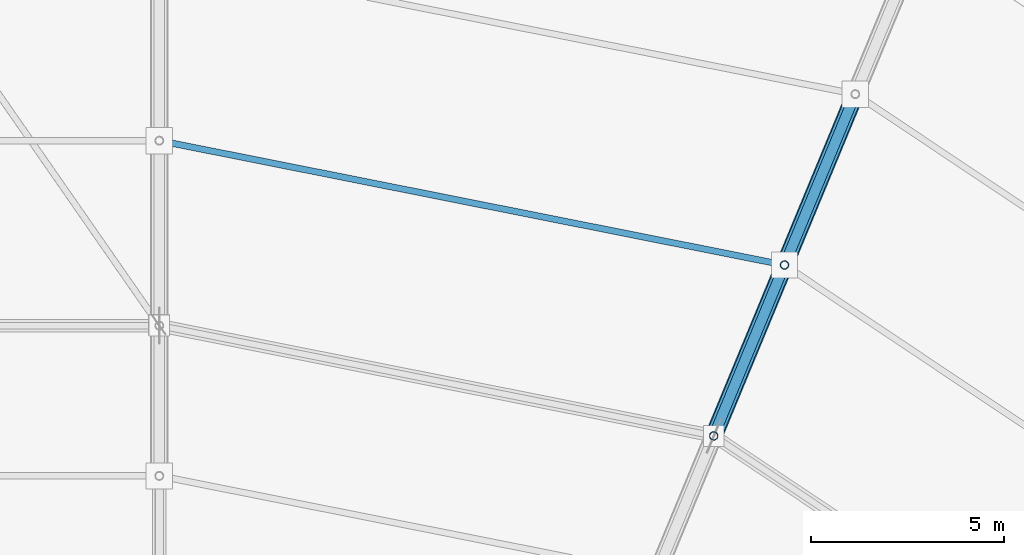
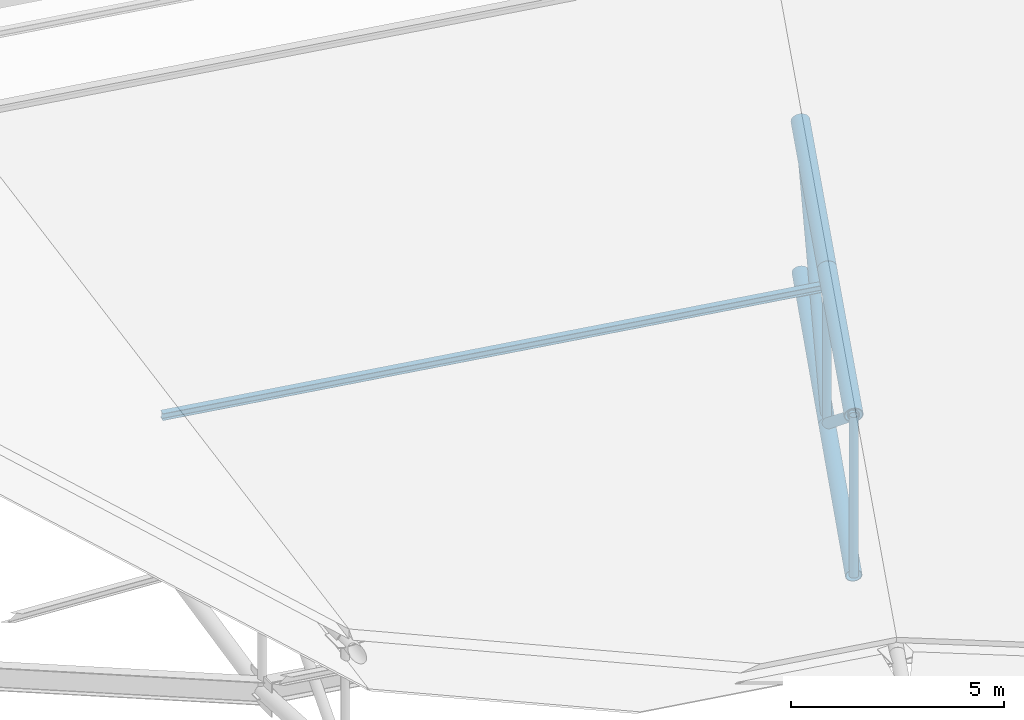
# One storey, part 80 of 146: 9 members.
"""IFC4 building model written with IfcOpenShell, lengths in metres."""

from ifc_helpers import new_model, si_unit, direction, frame, origin, origin_2d, place, context, subcontext, project, spatial, hollow_circle, i_section, extrude, material, material_profile, profile_set, type_object, element, save


model = new_model("IFC4")

# Units and contexts
model_context = context("Model", 3, precision=1e-05, world=origin(), true_north=direction((0.0, 1.0)))
body_context = subcontext(model_context, "Body", "Model", "MODEL_VIEW")
ifc_project = project(units=[si_unit("LENGTHUNIT", "METRE"), si_unit("AREAUNIT", "SQUARE_METRE"), si_unit("VOLUMEUNIT", "CUBIC_METRE"), si_unit("PLANEANGLEUNIT", "RADIAN"), si_unit("MASSUNIT", "GRAM", prefix="KILO")], contexts=[model_context])

# Site, building, storey
site_placement = place(None, origin())
site = spatial("IfcSite", under=ifc_project, at=site_placement, CompositionType="ELEMENT")
building_placement = place(site_placement, origin())
building = spatial("IfcBuilding", under=site, at=building_placement, Name="Candeia Ridge Stadium", CompositionType="ELEMENT")
storey_placement = place(building_placement, frame((0.0, 0.0, 31.800048828125)))
storey = spatial("IfcBuildingStorey", under=building, at=storey_placement, Name="RF", CompositionType="ELEMENT", Elevation=31.800048828125)

# Members
ifc_material = material(Name="Steel ASTM A572 Grade 50", Category="steel")
ifc_material_profile_1 = material_profile(ifc_material, i_section(OverallWidth=0.1650390625, OverallDepth=0.200927734375, WebThickness=0.006103515625, FlangeThickness=0.01025390625, FilletRadius=0.010009765625, at=origin_2d()), Name="W200x35.9", Category="steel")
ifc_profile_set_1 = profile_set([ifc_material_profile_1], Name="Steel ASTM A572 Grade 50")
member_type_1 = type_object("IfcMemberType", Name="Roof Purlin W200x35.9", PredefinedType="PURLIN", material=ifc_profile_set_1)
member_1_placement = place(storey_placement, frame((157.1767578125, 134.18212890625, 2.303955078125), z_axis=(-0.980785144259, 0.195091006457, 0.0), x_axis=(-0.195091006457, -0.980785144259, 0.0)))
element("IfcMember", 1, at=member_1_placement, inside=storey, type_object=member_type_1, Name="Saddle roof steel purlin bay 36-3", PredefinedType="PURLIN", context=body_context, shape_type="SweptSolid", body=[
    extrude(i_section(OverallWidth=0.1650390625, OverallDepth=0.200927734375, WebThickness=0.006103515625, FlangeThickness=0.01025390625, FilletRadius=0.010009765625, at=origin_2d()), origin(), (0.0, 0.0, 1.0), 16.443603515625),
])
ifc_material_profile_2 = material_profile(ifc_material, hollow_circle(Radius=0.136474609375, WallThickness=0.010009765625, at=origin_2d()), Name="CHS273x10", Category="steel")
ifc_profile_set_2 = profile_set([ifc_material_profile_2], Name="Steel ASTM A572 Grade 50")
member_type_2 = type_object("IfcMemberType", Name="Roof Truss Heavy Web Brace CHS273x10", PredefinedType="BRACE", material=ifc_profile_set_2)
member_2_placement = place(storey_placement, frame((155.388916015625, 129.73779296875, 1.93603515625), z_axis=(0.306791934683, 0.740679890153, -0.597722351211), x_axis=(-0.923882937544, 0.382675211785, 0.0)))
element("IfcMember", 2, at=member_2_placement, inside=storey, type_object=member_type_2, Name="Roof cantilever truss RT-36 diagonal web 4", PredefinedType="BRACE", context=body_context, shape_type="SweptSolid", body=[
    extrude(hollow_circle(Radius=0.136474609375, WallThickness=0.010009765625, at=origin_2d()), origin(), (0.0, 0.0, 1.0), 5.987548828125),
])
member_3_placement = place(storey_placement, frame((157.225830078125, 134.172607421875, -1.642822265625), z_axis=(0.255440364672, 0.616669163197, 0.744626996058), x_axis=(-0.923875488976, 0.382693194178, 0.0)))
element("IfcMember", 3, at=member_3_placement, inside=storey, type_object=member_type_2, Name="Roof cantilever truss RT-36 diagonal web 5", PredefinedType="BRACE", context=body_context, shape_type="SweptSolid", body=[
    extrude(hollow_circle(Radius=0.136474609375, WallThickness=0.010009765625, at=origin_2d()), origin(), (0.0, 0.0, 1.0), 7.191162109375),
])
ifc_material_profile_3 = material_profile(ifc_material, hollow_circle(Radius=0.109619140625, WallThickness=0.010009765625, at=origin_2d()), Name="CHS219x10", Category="steel")
ifc_profile_set_3 = profile_set([ifc_material_profile_3], Name="Steel ASTM A572 Grade 50")
member_type_3 = type_object("IfcMemberType", Name="Roof Truss Inner Web Brace CHS219x10", PredefinedType="BRACE", material=ifc_profile_set_3)
member_4_placement = place(storey_placement, frame((155.388916015625, 129.73779296875, -2.6640625), z_axis=(0.0, 0.0, 1.0), x_axis=(1.0, 0.0, 0.0)))
element("IfcMember", 4, at=member_4_placement, inside=storey, type_object=member_type_3, Name="Roof cantilever truss RT-36 vertical post 3", PredefinedType="BRACE", context=body_context, shape_type="SweptSolid", body=[
    extrude(hollow_circle(Radius=0.109619140625, WallThickness=0.010009765625, at=origin_2d()), origin(), (0.0, 0.0, 1.0), 4.60009765625),
])
member_5_placement = place(storey_placement, frame((157.225830078125, 134.172607421875, -1.642822265625), z_axis=(0.0, 0.0, 1.0), x_axis=(1.0, 0.0, 0.0)))
element("IfcMember", 5, at=member_5_placement, inside=storey, type_object=member_type_3, Name="Roof cantilever truss RT-36 vertical post 4", PredefinedType="BRACE", context=body_context, shape_type="SweptSolid", body=[
    extrude(hollow_circle(Radius=0.109619140625, WallThickness=0.010009765625, at=origin_2d()), origin(), (0.0, 0.0, 1.0), 4.466796875),
])
ifc_material_profile_4 = material_profile(ifc_material, hollow_circle(Radius=0.228515625, WallThickness=0.02001953125, at=origin_2d()), Name="CHS457x20", Category="steel")
ifc_profile_set_4 = profile_set([ifc_material_profile_4], Name="Steel ASTM A572 Grade 50")
member_type_4 = type_object("IfcMemberType", Name="Roof Truss Main Chord CHS457x20", PredefinedType="CHORD", material=ifc_profile_set_4)
member_6_placement = place(storey_placement, frame((155.388916015625, 129.73779296875, 1.93603515625), z_axis=(0.376291464053, 0.908470819314, 0.181894212488), x_axis=(-0.923882937544, 0.382675211785, 0.0)))
element("IfcMember", 6, at=member_6_placement, inside=storey, type_object=member_type_4, Name="Roof cantilever truss RT-36 top chord 4", PredefinedType="CHORD", context=body_context, shape_type="SweptSolid", body=[
    extrude(hollow_circle(Radius=0.228515625, WallThickness=0.02001953125, at=origin_2d()), origin(), (0.0, 0.0, 1.0), 4.881591796875),
])
member_7_placement = place(storey_placement, frame((157.225830078125, 134.172607421875, 2.823974609375), z_axis=(0.376308561394, 0.908462082556, 0.181902477112), x_axis=(-0.923875488976, 0.382693194178, 0.0)))
element("IfcMember", 7, at=member_7_placement, inside=storey, type_object=member_type_4, Name="Roof cantilever truss RT-36 top chord 5", PredefinedType="CHORD", context=body_context, shape_type="SweptSolid", body=[
    extrude(hollow_circle(Radius=0.228515625, WallThickness=0.02001953125, at=origin_2d()), origin(), (0.0, 0.0, 1.0), 4.88134765625),
])
ifc_material_profile_5 = material_profile(ifc_material, hollow_circle(Radius=0.202880859375, WallThickness=0.01611328125, at=origin_2d()), Name="CHS406x16", Category="steel")
ifc_profile_set_5 = profile_set([ifc_material_profile_5], Name="Steel ASTM A572 Grade 50")
member_type_5 = type_object("IfcMemberType", Name="Roof Truss Outer Chord CHS406x16", PredefinedType="CHORD", material=ifc_profile_set_5)
member_8_placement = place(storey_placement, frame((155.388916015625, 129.73779296875, -2.6640625), z_axis=(0.374298115224, 0.903658328422, 0.208092639019), x_axis=(-0.923882937544, 0.382675211785, 0.0)))
element("IfcMember", 8, at=member_8_placement, inside=storey, type_object=member_type_5, Name="Roof cantilever truss RT-36 bottom chord 4", PredefinedType="CHORD", context=body_context, shape_type="SweptSolid", body=[
    extrude(hollow_circle(Radius=0.202880859375, WallThickness=0.01611328125, at=origin_2d()), origin(), (0.0, 0.0, 1.0), 4.90771484375),
])
member_9_placement = place(storey_placement, frame((157.225830078125, 134.172607421875, -1.642822265625), z_axis=(0.374311066606, 0.903639847666, 0.208149588341), x_axis=(-0.923875488976, 0.382693194178, 0.0)))
element("IfcMember", 9, at=member_9_placement, inside=storey, type_object=member_type_5, Name="Roof cantilever truss RT-36 bottom chord 5", PredefinedType="CHORD", context=body_context, shape_type="SweptSolid", body=[
    extrude(hollow_circle(Radius=0.202880859375, WallThickness=0.01611328125, at=origin_2d()), origin(), (0.0, 0.0, 1.0), 4.907470703125),
])

save(model, "model.ifc")
